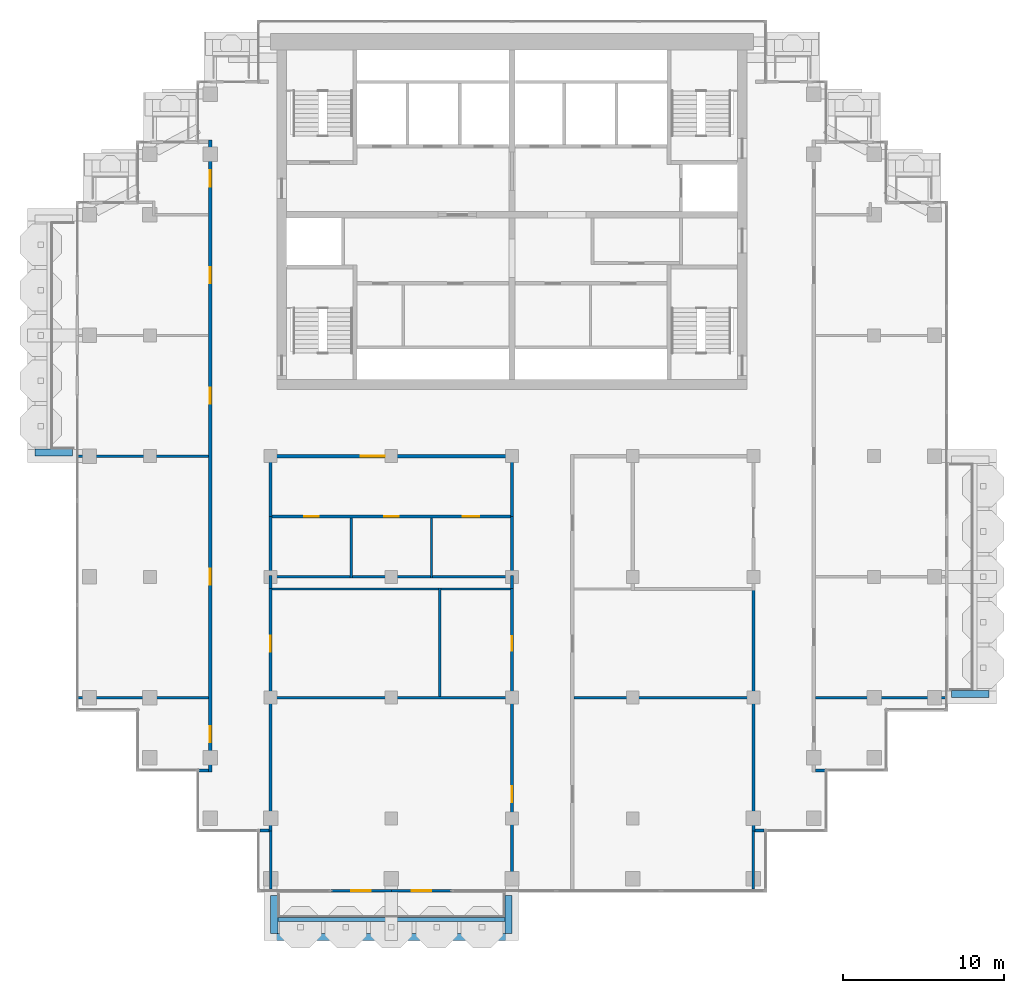
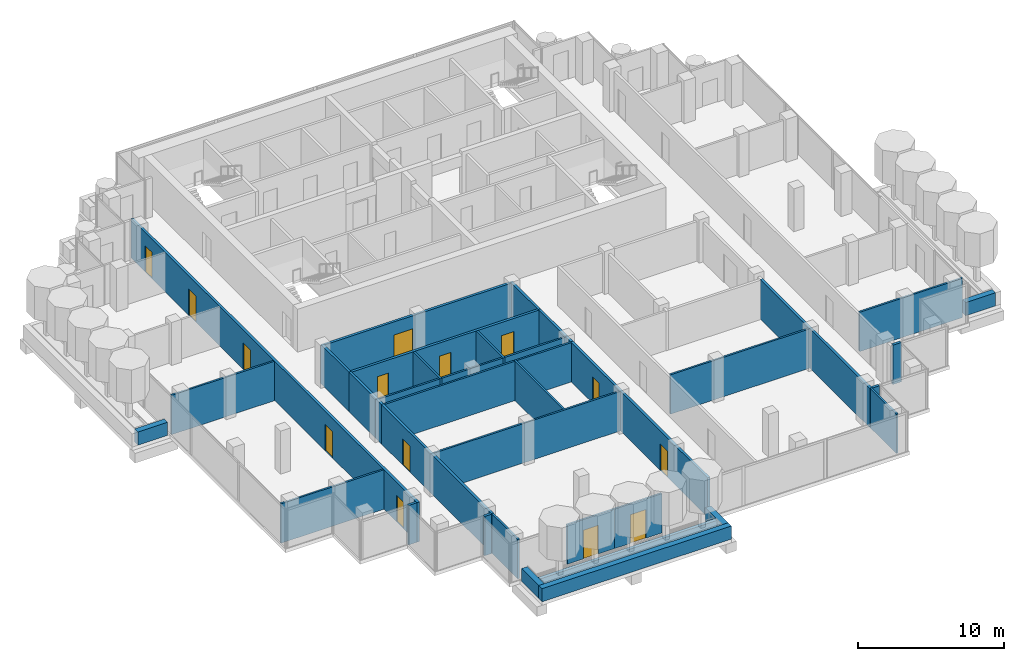
# One storey, part 11 of 18: 39 walls, 14 doors, 14 openings.
"""IFC4 building model written with IfcOpenShell, lengths in metres."""

from ifc_helpers import new_model, si_unit, direction, frame, frame_2d, origin, place, context, subcontext, project, spatial, rectangle, extrude, material, layer, layer_set, type_object, element, fill, save


model = new_model("IFC4")

# Units and contexts
model_context = context("Model", 3, precision=1e-05, world=origin(), true_north=direction((0.0, 1.0)))
body_context = subcontext(model_context, "Body", "Model", "MODEL_VIEW")
ifc_project = project(units=[si_unit("LENGTHUNIT", "METRE"), si_unit("AREAUNIT", "SQUARE_METRE"), si_unit("VOLUMEUNIT", "CUBIC_METRE"), si_unit("PLANEANGLEUNIT", "RADIAN"), si_unit("MASSUNIT", "GRAM", prefix="KILO")], contexts=[model_context])

# Site, building, storey
site_placement = place(None, origin())
site = spatial("IfcSite", under=ifc_project, at=site_placement, CompositionType="ELEMENT")
building_placement = place(site_placement, origin())
building = spatial("IfcBuilding", under=site, at=building_placement, Name="Pilkhan Gate Tower", CompositionType="ELEMENT")
storey_placement = place(building_placement, frame((0.0, 0.0, 235.5)))
storey = spatial("IfcBuildingStorey", under=building, at=storey_placement, Name="L61", CompositionType="ELEMENT", Elevation=235.5)

# Walls
ifc_material_1 = material(Name="Concrete C40/50", Category="concrete")
ifc_layer_1 = layer(ifc_material_1, 0.25)
ifc_layer_set_1 = layer_set([ifc_layer_1], Name="Balcony planter BP250")
wall_type_1 = type_object("IfcWallType", Name="Balcony planter BP250", PredefinedType="USERDEFINED", material=ifc_layer_set_1)
wall_1_placement = place(storey_placement, frame((60.449951171875, 38.72509765625, 0.0), z_axis=(0.0, 0.0, 1.0), x_axis=(1.0, 0.0, 0.0)))
element("IfcWall", 1, at=wall_1_placement, inside=storey, type_object=wall_type_1, Name="Balcony planter L61 S", ObjectType="BALCONY PLANTER", PredefinedType="USERDEFINED", context=body_context, shape_type="SweptSolid", body=[
    extrude(rectangle(XDim=14.10009765625, YDim=0.25, at=frame_2d((7.050048828125, 0.0))), origin(), (0.0, 0.0, 1.0), 1.0),
])
ifc_material_2 = material(Name="Board-marked Concrete C40/50", Category="concrete")
ifc_layer_2 = layer(ifc_material_2, 0.449951171875)
ifc_layer_set_2 = layer_set([ifc_layer_2], Name="Balcony planter lip BL450")
wall_type_2 = type_object("IfcWallType", Name="Balcony planter lip BL450", PredefinedType="USERDEFINED", material=ifc_layer_set_2)
wall_2_placement = place(storey_placement, frame((60.0, 37.625, 0.0), z_axis=(0.0, 0.0, 1.0), x_axis=(1.0, 0.0, 0.0)))
element("IfcWall", 2, at=wall_2_placement, inside=storey, type_object=wall_type_2, Name="Balcony planter L61 S", ObjectType="BALCONY PLANTER", PredefinedType="USERDEFINED", context=body_context, shape_type="SweptSolid", body=[
    extrude(rectangle(XDim=15.0, YDim=0.449951171875, at=frame_2d((7.5, 0.0))), origin(), (0.0, 0.0, 1.0), 1.10009765625),
])
for number, where, z_axis, x_axis, name in (
    (3, (60.22509765625, 40.199951171875, 0.0), (0.0, 0.0, 1.0), (0.0, -1.0, 0.0), "Balcony planter L61 S"),
    (4, (74.77490234375, 40.199951171875, 0.0), (0.0, 0.0, 1.0), (0.0, -1.0, 0.0), "Balcony planter L61 S"),
    (5, (102.300048828125, 52.72509765625, 0.0), (0.0, 0.0, 1.0), (1.0, 0.0, 0.0), "Balcony planter L61 E"),
    (6, (47.699951171875, 67.72509765625, 0.0), (0.0, 0.0, 1.0), (-1.0, 0.0, 0.0), "Balcony planter L61 W"),
):
    element("IfcWall", number, at=place(storey_placement, frame(where, z_axis=z_axis, x_axis=x_axis)), inside=storey, type_object=wall_type_2, Name=name, ObjectType="BALCONY PLANTER", PredefinedType="USERDEFINED", context=body_context, shape_type="SweptSolid", body=[
        extrude(rectangle(XDim=2.349853515625, YDim=0.449951171875, at=frame_2d((1.1748046875, 0.0))), origin(), (0.0, 0.0, 1.0), 1.10009765625),
    ])
ifc_material_3 = material(Name="Dense blockwork", Category="masonry")
ifc_layer_3 = layer(ifc_material_3, 0.199951171875)
ifc_layer_set_3 = layer_set([ifc_layer_3], Name="Corridor wall FW200")
wall_type_3 = type_object("IfcWallType", Name="Corridor wall FW200", PredefinedType="PARTITIONING", material=ifc_layer_set_3)
for number, where, z_axis, x_axis, name in (
    (7, (59.35498046875, 44.235107421875, 0.0), (0.0, 0.0, 1.0), (1.0, 0.0, 0.0), "Partition L61"),
    (8, (90.10009765625, 44.235107421875, 0.0), (0.0, 0.0, 1.0), (1.0, 0.0, 0.0), "Partition L61"),
):
    element("IfcWall", number, at=place(storey_placement, frame(where, z_axis=z_axis, x_axis=x_axis)), inside=storey, type_object=wall_type_3, Name=name, PredefinedType="PARTITIONING", context=body_context, shape_type="SweptSolid", body=[
        extrude(rectangle(XDim=0.544921875, YDim=0.199951171875, at=frame_2d((0.2724609375, 0.0))), origin(), (0.0, 0.0, 1.0), 3.300048828125),
    ])
for number, where, z_axis, x_axis, name in (
    (9, (55.485107421875, 47.969970703125, 0.0), (0.0, 0.0, 1.0), (1.0, 0.0, 0.0), "Partition L61"),
    (10, (93.85009765625, 47.969970703125, 0.0), (0.0, 0.0, 1.0), (1.0, 0.0, 0.0), "Partition L61"),
):
    element("IfcWall", number, at=place(storey_placement, frame(where, z_axis=z_axis, x_axis=x_axis)), inside=storey, type_object=wall_type_3, Name=name, PredefinedType="PARTITIONING", context=body_context, shape_type="SweptSolid", body=[
        extrude(rectangle(XDim=0.664794921875, YDim=0.199951171875, at=frame_2d((0.33251953125, 0.0))), origin(), (0.0, 0.0, 1.0), 3.300048828125),
    ])

# Wall, openings, doors
wall_3_placement = place(storey_placement, frame((56.25, 47.8701171875, 0.0), z_axis=(0.0, 0.0, 1.0), x_axis=(0.0, 1.0, 0.0)))
wall_3 = element("IfcWall", 11, at=wall_3_placement, inside=storey, type_object=wall_type_3, Name="Partition L61", PredefinedType="PARTITIONING", context=body_context, shape_type="SweptSolid", body=[
    extrude(rectangle(XDim=39.259765625, YDim=0.199951171875, at=frame_2d((19.6298828125, 0.0))), origin(), (0.0, 0.0, 1.0), 3.300048828125),
])
opening_1_placement = place(wall_3_placement, frame((1.85009765625, 0.0, 0.0)))
opening_1 = element("IfcOpeningElement", 12, at=opening_1_placement, cuts=wall_3, Name="Opening L61-24", PredefinedType="OPENING", context=body_context, shape_type="SweptSolid", body=[
    extrude(rectangle(XDim=1.0, YDim=2.199951171875, at=frame_2d((0.5, 1.10009765625))), frame((0.0, 0.10986328125, 0.0), z_axis=(0.0, -1.0, 0.0), x_axis=(1.0, 0.0, 0.0)), (0.0, 0.0, 1.0), 0.219970703125),
])
opening_2_placement = place(wall_3_placement, frame((11.6298828125, 0.0, 0.0)))
opening_2 = element("IfcOpeningElement", 13, at=opening_2_placement, cuts=wall_3, Name="Opening L61-25", PredefinedType="OPENING", context=body_context, shape_type="SweptSolid", body=[
    extrude(rectangle(XDim=1.0, YDim=2.199951171875, at=frame_2d((0.5, 1.10009765625))), frame((0.0, 0.10986328125, 0.0), z_axis=(0.0, -1.0, 0.0), x_axis=(1.0, 0.0, 0.0)), (0.0, 0.0, 1.0), 0.219970703125),
])
opening_3_placement = place(wall_3_placement, frame((22.8798828125, 0.0, 0.0)))
opening_3 = element("IfcOpeningElement", 14, at=opening_3_placement, cuts=wall_3, Name="Opening L61-26", PredefinedType="OPENING", context=body_context, shape_type="SweptSolid", body=[
    extrude(rectangle(XDim=1.0, YDim=2.199951171875, at=frame_2d((0.5, 1.10009765625))), frame((0.0, 0.10986328125, 0.0), z_axis=(0.0, -1.0, 0.0), x_axis=(1.0, 0.0, 0.0)), (0.0, 0.0, 1.0), 0.219970703125),
])
opening_4_placement = place(wall_3_placement, frame((30.3798828125, 0.0, 0.0)))
opening_4 = element("IfcOpeningElement", 15, at=opening_4_placement, cuts=wall_3, Name="Opening L61-30", PredefinedType="OPENING", context=body_context, shape_type="SweptSolid", body=[
    extrude(rectangle(XDim=1.0, YDim=2.199951171875, at=frame_2d((0.5, 1.10009765625))), frame((0.0, 0.10986328125, 0.0), z_axis=(0.0, -1.0, 0.0), x_axis=(1.0, 0.0, 0.0)), (0.0, 0.0, 1.0), 0.219970703125),
])
opening_5_placement = place(wall_3_placement, frame((36.3798828125, 0.0, 0.0)))
opening_5 = element("IfcOpeningElement", 16, at=opening_5_placement, cuts=wall_3, Name="Opening L61-31", PredefinedType="OPENING", context=body_context, shape_type="SweptSolid", body=[
    extrude(rectangle(XDim=1.0, YDim=2.199951171875, at=frame_2d((0.5, 1.10009765625))), frame((0.0, 0.10986328125, 0.0), z_axis=(0.0, -1.0, 0.0), x_axis=(1.0, 0.0, 0.0)), (0.0, 0.0, 1.0), 0.219970703125),
])
ifc_material_4 = material(Name="Timber flush door, 30 minute fire resisting", Category="wood")
door_type_1 = type_object("IfcDoorType", Name="Room door D03 1000x2200", OperationType="SINGLE_SWING_LEFT", PredefinedType="DOOR", material=ifc_material_4)
door_1_placement = place(opening_1_placement, origin())
door_1 = element("IfcDoor", 17, at=door_1_placement, inside=storey, type_object=door_type_1, Name="Room door", OperationType="SINGLE_SWING_RIGHT", OverallHeight=2.199951171875, OverallWidth=1.0, PredefinedType="DOOR", context=body_context, shape_type="SweptSolid", body=[
    extrude(rectangle(XDim=1.0, YDim=2.199951171875, at=frame_2d((0.5, 1.10009765625))), frame((0.0, 0.02490234375, 0.0), z_axis=(0.0, -1.0, 0.0), x_axis=(1.0, 0.0, 0.0)), (0.0, 0.0, 1.0), 0.050048828125),
])
fill(opening_1, door_1)
door_2_placement = place(opening_2_placement, origin())
door_2 = element("IfcDoor", 18, at=door_2_placement, inside=storey, type_object=door_type_1, Name="Room door", OperationType="SINGLE_SWING_LEFT", OverallHeight=2.199951171875, OverallWidth=1.0, PredefinedType="DOOR", context=body_context, shape_type="SweptSolid", body=[
    extrude(rectangle(XDim=1.0, YDim=2.199951171875, at=frame_2d((0.5, 1.10009765625))), frame((0.0, 0.02490234375, 0.0), z_axis=(0.0, -1.0, 0.0), x_axis=(1.0, 0.0, 0.0)), (0.0, 0.0, 1.0), 0.050048828125),
])
fill(opening_2, door_2)
door_3_placement = place(opening_3_placement, origin())
door_3 = element("IfcDoor", 19, at=door_3_placement, inside=storey, type_object=door_type_1, Name="Room door", OperationType="SINGLE_SWING_LEFT", OverallHeight=2.199951171875, OverallWidth=1.0, PredefinedType="DOOR", context=body_context, shape_type="SweptSolid", body=[
    extrude(rectangle(XDim=1.0, YDim=2.199951171875, at=frame_2d((0.5, 1.10009765625))), frame((0.0, 0.02490234375, 0.0), z_axis=(0.0, -1.0, 0.0), x_axis=(1.0, 0.0, 0.0)), (0.0, 0.0, 1.0), 0.050048828125),
])
fill(opening_3, door_3)
door_4_placement = place(opening_4_placement, origin())
door_4 = element("IfcDoor", 20, at=door_4_placement, inside=storey, type_object=door_type_1, Name="Room door", OperationType="SINGLE_SWING_LEFT", OverallHeight=2.199951171875, OverallWidth=1.0, PredefinedType="DOOR", context=body_context, shape_type="SweptSolid", body=[
    extrude(rectangle(XDim=1.0, YDim=2.199951171875, at=frame_2d((0.5, 1.10009765625))), frame((0.0, 0.02490234375, 0.0), z_axis=(0.0, -1.0, 0.0), x_axis=(1.0, 0.0, 0.0)), (0.0, 0.0, 1.0), 0.050048828125),
])
fill(opening_4, door_4)
door_5_placement = place(opening_5_placement, origin())
door_5 = element("IfcDoor", 21, at=door_5_placement, inside=storey, type_object=door_type_1, Name="Room door", OperationType="SINGLE_SWING_LEFT", OverallHeight=2.199951171875, OverallWidth=1.0, PredefinedType="DOOR", context=body_context, shape_type="SweptSolid", body=[
    extrude(rectangle(XDim=1.0, YDim=2.199951171875, at=frame_2d((0.5, 1.10009765625))), frame((0.0, 0.02490234375, 0.0), z_axis=(0.0, -1.0, 0.0), x_axis=(1.0, 0.0, 0.0)), (0.0, 0.0, 1.0), 0.050048828125),
])
fill(opening_5, door_5)

# Wall, opening, door
wall_4_placement = place(storey_placement, frame((60.0, 44.135009765625, 0.0), z_axis=(0.0, 0.0, 1.0), x_axis=(0.0, 1.0, 0.0)))
wall_4 = element("IfcWall", 22, at=wall_4_placement, inside=storey, type_object=wall_type_3, Name="Partition L61", PredefinedType="PARTITIONING", context=body_context, shape_type="SweptSolid", body=[
    extrude(rectangle(XDim=15.18994140625, YDim=0.199951171875, at=frame_2d((7.594970703125, 0.0))), origin(), (0.0, 0.0, 1.0), 3.300048828125),
])
opening_6_placement = place(wall_4_placement, frame((11.215087890625, 0.0, 0.0)))
opening_6 = element("IfcOpeningElement", 23, at=opening_6_placement, cuts=wall_4, Name="Opening L61-18", PredefinedType="OPENING", context=body_context, shape_type="SweptSolid", body=[
    extrude(rectangle(XDim=1.0, YDim=2.199951171875, at=frame_2d((0.5, 1.10009765625))), frame((0.0, 0.10986328125, 0.0), z_axis=(0.0, -1.0, 0.0), x_axis=(1.0, 0.0, 0.0)), (0.0, 0.0, 1.0), 0.219970703125),
])
door_6_placement = place(opening_6_placement, origin())
door_6 = element("IfcDoor", 24, at=door_6_placement, inside=storey, type_object=door_type_1, Name="Room door", OperationType="SINGLE_SWING_LEFT", OverallHeight=2.199951171875, OverallWidth=1.0, PredefinedType="DOOR", context=body_context, shape_type="SweptSolid", body=[
    extrude(rectangle(XDim=1.0, YDim=2.199951171875, at=frame_2d((0.5, 1.10009765625))), frame((0.0, 0.02490234375, 0.0), z_axis=(0.0, -1.0, 0.0), x_axis=(1.0, 0.0, 0.0)), (0.0, 0.0, 1.0), 0.050048828125),
])
fill(opening_6, door_6)

# Walls
wall_5_placement = place(storey_placement, frame((60.0, 59.280029296875, 0.0), z_axis=(0.0, 0.0, 1.0), x_axis=(0.0, 1.0, 0.0)))
element("IfcWall", 25, at=wall_5_placement, inside=storey, type_object=wall_type_3, Name="Partition L61", PredefinedType="PARTITIONING", context=body_context, shape_type="SweptSolid", body=[
    extrude(rectangle(XDim=0.794921875, YDim=0.199951171875, at=frame_2d((0.3974609375, 0.0))), origin(), (0.0, 0.0, 1.0), 3.300048828125),
])
wall_6_placement = place(storey_placement, frame((60.0, 60.0, 0.0), z_axis=(0.0, 0.0, 1.0), x_axis=(0.0, 1.0, 0.0)))
element("IfcWall", 26, at=wall_6_placement, inside=storey, type_object=wall_type_3, Name="Partition L61", PredefinedType="PARTITIONING", context=body_context, shape_type="SweptSolid", body=[
    extrude(rectangle(XDim=3.75, YDim=0.199951171875, at=frame_2d((1.875, 0.0))), origin(), (0.0, 0.0, 1.0), 3.300048828125),
])

# Wall, openings, doors
wall_7_placement = place(storey_placement, frame((75.0, 40.485107421875, 0.0), z_axis=(0.0, 0.0, 1.0), x_axis=(0.0, 1.0, 0.0)))
wall_7 = element("IfcWall", 27, at=wall_7_placement, inside=storey, type_object=wall_type_3, Name="Partition L61", PredefinedType="PARTITIONING", context=body_context, shape_type="SweptSolid", body=[
    extrude(rectangle(XDim=18.83984375, YDim=0.199951171875, at=frame_2d((9.419921875, 0.0))), origin(), (0.0, 0.0, 1.0), 3.300048828125),
])
opening_7_placement = place(wall_7_placement, frame((5.5, 0.0, 0.0)))
opening_7 = element("IfcOpeningElement", 28, at=opening_7_placement, cuts=wall_7, Name="Opening L61-17", PredefinedType="OPENING", context=body_context, shape_type="SweptSolid", body=[
    extrude(rectangle(XDim=1.0, YDim=2.199951171875, at=frame_2d((0.5, 1.10009765625))), frame((0.0, 0.10986328125, 0.0), z_axis=(0.0, -1.0, 0.0), x_axis=(1.0, 0.0, 0.0)), (0.0, 0.0, 1.0), 0.219970703125),
])
opening_8_placement = place(wall_7_placement, frame((14.9150390625, 0.0, 0.0)))
opening_8 = element("IfcOpeningElement", 29, at=opening_8_placement, cuts=wall_7, Name="Opening L61-19", PredefinedType="OPENING", context=body_context, shape_type="SweptSolid", body=[
    extrude(rectangle(XDim=0.89990234375, YDim=2.199951171875, at=frame_2d((0.449951171875, 1.10009765625))), frame((0.0, 0.10986328125, 0.0), z_axis=(0.0, -1.0, 0.0), x_axis=(1.0, 0.0, 0.0)), (0.0, 0.0, 1.0), 0.219970703125),
])
door_7_placement = place(opening_7_placement, origin())
door_7 = element("IfcDoor", 30, at=door_7_placement, inside=storey, type_object=door_type_1, Name="Room door", OperationType="SINGLE_SWING_RIGHT", OverallHeight=2.199951171875, OverallWidth=1.0, PredefinedType="DOOR", context=body_context, shape_type="SweptSolid", body=[
    extrude(rectangle(XDim=1.0, YDim=2.199951171875, at=frame_2d((0.5, 1.10009765625))), frame((0.0, 0.02490234375, 0.0), z_axis=(0.0, -1.0, 0.0), x_axis=(1.0, 0.0, 0.0)), (0.0, 0.0, 1.0), 0.050048828125),
])
fill(opening_7, door_7)
ifc_material_5 = material(Name="Timber flush door, 60 minute fire resisting, self-closing", Category="wood")
door_type_2 = type_object("IfcDoorType", Name="Store door D05 900x2200", OperationType="SINGLE_SWING_LEFT", PredefinedType="DOOR", material=ifc_material_5)
door_8_placement = place(opening_8_placement, origin())
door_8 = element("IfcDoor", 31, at=door_8_placement, inside=storey, type_object=door_type_2, Name="Store door", OperationType="SINGLE_SWING_LEFT", OverallHeight=2.199951171875, OverallWidth=0.89990234375, PredefinedType="DOOR", context=body_context, shape_type="SweptSolid", body=[
    extrude(rectangle(XDim=0.89990234375, YDim=2.199951171875, at=frame_2d((0.449951171875, 1.10009765625))), frame((0.0, 0.02490234375, 0.0), z_axis=(0.0, -1.0, 0.0), x_axis=(1.0, 0.0, 0.0)), (0.0, 0.0, 1.0), 0.050048828125),
])
fill(opening_8, door_8)

# Walls
wall_8_placement = place(storey_placement, frame((75.0, 59.280029296875, 0.0), z_axis=(0.0, 0.0, 1.0), x_axis=(0.0, 1.0, 0.0)))
element("IfcWall", 32, at=wall_8_placement, inside=storey, type_object=wall_type_3, Name="Partition L61", PredefinedType="PARTITIONING", context=body_context, shape_type="SweptSolid", body=[
    extrude(rectangle(XDim=0.794921875, YDim=0.199951171875, at=frame_2d((0.3974609375, 0.0))), origin(), (0.0, 0.0, 1.0), 3.300048828125),
])
wall_9_placement = place(storey_placement, frame((75.0, 60.0, 0.0), z_axis=(0.0, 0.0, 1.0), x_axis=(0.0, 1.0, 0.0)))
element("IfcWall", 33, at=wall_9_placement, inside=storey, type_object=wall_type_3, Name="Partition L61", PredefinedType="PARTITIONING", context=body_context, shape_type="SweptSolid", body=[
    extrude(rectangle(XDim=3.75, YDim=0.199951171875, at=frame_2d((1.875, 0.0))), origin(), (0.0, 0.0, 1.0), 3.300048828125),
])
wall_10_placement = place(storey_placement, frame((90.0, 44.135009765625, 0.0), z_axis=(0.0, 0.0, 1.0), x_axis=(0.0, 1.0, 0.0)))
element("IfcWall", 34, at=wall_10_placement, inside=storey, type_object=wall_type_3, Name="Partition L61", PredefinedType="PARTITIONING", context=body_context, shape_type="SweptSolid", body=[
    extrude(rectangle(XDim=15.114990234375, YDim=0.199951171875, at=frame_2d((7.5576171875, 0.0))), origin(), (0.0, 0.0, 1.0), 3.300048828125),
])

# Wall, opening, door
ifc_material_6 = material(Name="Pale anodised aluminium, clear laminated glazing", Category="aluminium")
ifc_layer_4 = layer(ifc_material_6, 0.14990234375)
ifc_layer_set_4 = layer_set([ifc_layer_4], Name="Facade infill wall IW150")
wall_type_4 = type_object("IfcWallType", Name="Facade infill wall IW150", PredefinedType="SOLIDWALL", material=ifc_layer_set_4)
wall_11_placement = place(storey_placement, frame((63.75, 40.5, 0.0), z_axis=(0.0, 0.0, 1.0), x_axis=(1.0, 0.0, 0.0)))
wall_11 = element("IfcWall", 35, at=wall_11_placement, inside=storey, type_object=wall_type_4, Name="Infill wall L61 S", PredefinedType="SOLIDWALL", context=body_context, shape_type="SweptSolid", body=[
    extrude(rectangle(XDim=3.75, YDim=0.14990234375, at=frame_2d((1.875, 0.0))), origin(), (0.0, 0.0, 1.0), 3.300048828125),
])
opening_9_placement = place(wall_11_placement, frame((1.27490234375, 0.0, 0.0)))
opening_9 = element("IfcOpeningElement", 36, at=opening_9_placement, cuts=wall_11, Name="Opening D1", PredefinedType="OPENING", context=body_context, shape_type="SweptSolid", body=[
    extrude(rectangle(XDim=1.199951171875, YDim=2.39990234375, at=frame_2d((0.60009765625, 1.199951171875))), frame((0.0, 0.0849609375, 0.0), z_axis=(0.0, -1.0, 0.0), x_axis=(1.0, 0.0, 0.0)), (0.0, 0.0, 1.0), 0.169921875),
])
ifc_material_7 = material(Name="Pale anodised aluminium, clear glazing", Category="aluminium")
door_type_3 = type_object("IfcDoorType", Name="Balcony door D1 1200x2400", OperationType="SINGLE_SWING_LEFT", PredefinedType="DOOR", material=ifc_material_7)
door_9_placement = place(opening_9_placement, origin())
door_9 = element("IfcDoor", 37, at=door_9_placement, inside=storey, type_object=door_type_3, Name="Balcony door L61", OperationType="SINGLE_SWING_LEFT", OverallHeight=2.39990234375, OverallWidth=1.199951171875, PredefinedType="DOOR", context=body_context, shape_type="SweptSolid", body=[
    extrude(rectangle(XDim=1.199951171875, YDim=2.39990234375, at=frame_2d((0.60009765625, 1.199951171875))), frame((0.0, 0.02490234375, 0.0), z_axis=(0.0, -1.0, 0.0), x_axis=(1.0, 0.0, 0.0)), (0.0, 0.0, 1.0), 0.050048828125),
])
fill(opening_9, door_9)

wall_12_placement = place(storey_placement, frame((67.5, 40.5, 0.0), z_axis=(0.0, 0.0, 1.0), x_axis=(1.0, 0.0, 0.0)))
wall_12 = element("IfcWall", 38, at=wall_12_placement, inside=storey, type_object=wall_type_4, Name="Infill wall L61 S", PredefinedType="SOLIDWALL", context=body_context, shape_type="SweptSolid", body=[
    extrude(rectangle(XDim=3.75, YDim=0.14990234375, at=frame_2d((1.875, 0.0))), origin(), (0.0, 0.0, 1.0), 3.300048828125),
])
opening_10_placement = place(wall_12_placement, frame((1.27490234375, 0.0, 0.0)))
opening_10 = element("IfcOpeningElement", 39, at=opening_10_placement, cuts=wall_12, Name="Opening D1", PredefinedType="OPENING", context=body_context, shape_type="SweptSolid", body=[
    extrude(rectangle(XDim=1.199951171875, YDim=2.39990234375, at=frame_2d((0.60009765625, 1.199951171875))), frame((0.0, 0.0849609375, 0.0), z_axis=(0.0, -1.0, 0.0), x_axis=(1.0, 0.0, 0.0)), (0.0, 0.0, 1.0), 0.169921875),
])
door_10_placement = place(opening_10_placement, origin())
door_10 = element("IfcDoor", 40, at=door_10_placement, inside=storey, type_object=door_type_3, Name="Balcony door L61", OperationType="SINGLE_SWING_LEFT", OverallHeight=2.39990234375, OverallWidth=1.199951171875, PredefinedType="DOOR", context=body_context, shape_type="SweptSolid", body=[
    extrude(rectangle(XDim=1.199951171875, YDim=2.39990234375, at=frame_2d((0.60009765625, 1.199951171875))), frame((0.0, 0.02490234375, 0.0), z_axis=(0.0, -1.0, 0.0), x_axis=(1.0, 0.0, 0.0)), (0.0, 0.0, 1.0), 0.050048828125),
])
fill(opening_10, door_10)

# Wall, openings, doors
ifc_layer_5 = layer(ifc_material_3, 0.199951171875)
ifc_layer_set_5 = layer_set([ifc_layer_5], Name="Lobby wall LW200")
wall_type_5 = type_object("IfcWallType", Name="Lobby wall LW200", PredefinedType="PARTITIONING", material=ifc_layer_set_5)
wall_13_placement = place(storey_placement, frame((60.10009765625, 63.75, 0.0), z_axis=(0.0, 0.0, 1.0), x_axis=(1.0, 0.0, 0.0)))
wall_13 = element("IfcWall", 41, at=wall_13_placement, inside=storey, type_object=wall_type_5, Name="Partition L61", PredefinedType="PARTITIONING", context=body_context, shape_type="SweptSolid", body=[
    extrude(rectangle(XDim=14.7998046875, YDim=0.199951171875, at=frame_2d((7.39990234375, 0.0))), origin(), (0.0, 0.0, 1.0), 3.300048828125),
])
opening_11_placement = place(wall_13_placement, frame((2.0, 0.0, 0.0)))
opening_11 = element("IfcOpeningElement", 42, at=opening_11_placement, cuts=wall_13, Name="Opening L61-14", PredefinedType="OPENING", context=body_context, shape_type="SweptSolid", body=[
    extrude(rectangle(XDim=0.89990234375, YDim=2.199951171875, at=frame_2d((0.449951171875, 1.10009765625))), frame((0.0, 0.10986328125, 0.0), z_axis=(0.0, -1.0, 0.0), x_axis=(1.0, 0.0, 0.0)), (0.0, 0.0, 1.0), 0.219970703125),
])
opening_12_placement = place(wall_13_placement, frame((6.949951171875, 0.0, 0.0)))
opening_12 = element("IfcOpeningElement", 43, at=opening_12_placement, cuts=wall_13, Name="Opening L61-15", PredefinedType="OPENING", context=body_context, shape_type="SweptSolid", body=[
    extrude(rectangle(XDim=0.89990234375, YDim=2.199951171875, at=frame_2d((0.449951171875, 1.10009765625))), frame((0.0, 0.10986328125, 0.0), z_axis=(0.0, -1.0, 0.0), x_axis=(1.0, 0.0, 0.0)), (0.0, 0.0, 1.0), 0.219970703125),
])
opening_13_placement = place(wall_13_placement, frame((11.85009765625, 0.0, 0.0)))
opening_13 = element("IfcOpeningElement", 44, at=opening_13_placement, cuts=wall_13, Name="Opening L61-16", PredefinedType="OPENING", context=body_context, shape_type="SweptSolid", body=[
    extrude(rectangle(XDim=1.0, YDim=2.199951171875, at=frame_2d((0.5, 1.10009765625))), frame((0.0, 0.10986328125, 0.0), z_axis=(0.0, -1.0, 0.0), x_axis=(1.0, 0.0, 0.0)), (0.0, 0.0, 1.0), 0.219970703125),
])
ifc_material_8 = material(Name="Timber flush door, outward opening, 30 minute fire resisting", Category="wood")
door_type_4 = type_object("IfcDoorType", Name="Accessible toilet door D07 1000x2200", OperationType="SINGLE_SWING_LEFT", PredefinedType="DOOR", material=ifc_material_8)
door_11_placement = place(opening_13_placement, origin())
door_11 = element("IfcDoor", 45, at=door_11_placement, inside=storey, type_object=door_type_4, Name="Accessible toilet door", OperationType="SINGLE_SWING_RIGHT", OverallHeight=2.199951171875, OverallWidth=1.0, PredefinedType="DOOR", context=body_context, shape_type="SweptSolid", body=[
    extrude(rectangle(XDim=1.0, YDim=2.199951171875, at=frame_2d((0.5, 1.10009765625))), frame((0.0, 0.02490234375, 0.0), z_axis=(0.0, -1.0, 0.0), x_axis=(1.0, 0.0, 0.0)), (0.0, 0.0, 1.0), 0.050048828125),
])
fill(opening_13, door_11)
door_type_5 = type_object("IfcDoorType", Name="Toilet door D06 900x2200", OperationType="SINGLE_SWING_LEFT", PredefinedType="DOOR", material=ifc_material_4)
door_12_placement = place(opening_11_placement, origin())
door_12 = element("IfcDoor", 46, at=door_12_placement, inside=storey, type_object=door_type_5, Name="Toilet door", OperationType="SINGLE_SWING_LEFT", OverallHeight=2.199951171875, OverallWidth=0.89990234375, PredefinedType="DOOR", context=body_context, shape_type="SweptSolid", body=[
    extrude(rectangle(XDim=0.89990234375, YDim=2.199951171875, at=frame_2d((0.449951171875, 1.10009765625))), frame((0.0, 0.02490234375, 0.0), z_axis=(0.0, -1.0, 0.0), x_axis=(1.0, 0.0, 0.0)), (0.0, 0.0, 1.0), 0.050048828125),
])
fill(opening_11, door_12)
door_13_placement = place(opening_12_placement, origin())
door_13 = element("IfcDoor", 47, at=door_13_placement, inside=storey, type_object=door_type_5, Name="Toilet door", OperationType="SINGLE_SWING_RIGHT", OverallHeight=2.199951171875, OverallWidth=0.89990234375, PredefinedType="DOOR", context=body_context, shape_type="SweptSolid", body=[
    extrude(rectangle(XDim=0.89990234375, YDim=2.199951171875, at=frame_2d((0.449951171875, 1.10009765625))), frame((0.0, 0.02490234375, 0.0), z_axis=(0.0, -1.0, 0.0), x_axis=(1.0, 0.0, 0.0)), (0.0, 0.0, 1.0), 0.050048828125),
])
fill(opening_12, door_13)

# Wall, opening, door
wall_14_placement = place(storey_placement, frame((60.10009765625, 67.5, 0.0), z_axis=(0.0, 0.0, 1.0), x_axis=(1.0, 0.0, 0.0)))
wall_14 = element("IfcWall", 48, at=wall_14_placement, inside=storey, type_object=wall_type_5, Name="Partition L61", PredefinedType="PARTITIONING", context=body_context, shape_type="SweptSolid", body=[
    extrude(rectangle(XDim=14.7998046875, YDim=0.199951171875, at=frame_2d((7.39990234375, 0.0))), origin(), (0.0, 0.0, 1.0), 3.300048828125),
])
opening_14_placement = place(wall_14_placement, frame((5.5, 0.0, 0.0)))
opening_14 = element("IfcOpeningElement", 49, at=opening_14_placement, cuts=wall_14, Name="Opening L61-13", PredefinedType="OPENING", context=body_context, shape_type="SweptSolid", body=[
    extrude(rectangle(XDim=1.5, YDim=2.199951171875, at=frame_2d((0.75, 1.10009765625))), frame((0.0, 0.10986328125, 0.0), z_axis=(0.0, -1.0, 0.0), x_axis=(1.0, 0.0, 0.0)), (0.0, 0.0, 1.0), 0.219970703125),
])
ifc_material_9 = material(Name="Steel framed glazed door, 60 minute fire resisting", Category="steel")
door_type_6 = type_object("IfcDoorType", Name="Lobby door D09 1500x2200", OperationType="DOUBLE_DOOR_SINGLE_SWING", PredefinedType="DOOR", material=ifc_material_9)
door_14_placement = place(opening_14_placement, origin())
door_14 = element("IfcDoor", 50, at=door_14_placement, inside=storey, type_object=door_type_6, Name="Lobby door", OperationType="DOUBLE_DOOR_SINGLE_SWING", OverallHeight=2.199951171875, OverallWidth=1.5, PredefinedType="DOOR", context=body_context, shape_type="SweptSolid", body=[
    extrude(rectangle(XDim=1.5, YDim=2.199951171875, at=frame_2d((0.75, 1.10009765625))), frame((0.0, 0.02490234375, 0.0), z_axis=(0.0, -1.0, 0.0), x_axis=(1.0, 0.0, 0.0)), (0.0, 0.0, 1.0), 0.050048828125),
])
fill(opening_14, door_14)

# Walls
for number, where, z_axis, x_axis, name in (
    (51, (60.0, 63.64990234375, 0.0), (0.0, 0.0, 1.0), (0.0, 1.0, 0.0), "Partition L61"),
    (52, (75.0, 63.64990234375, 0.0), (0.0, 0.0, 1.0), (0.0, 1.0, 0.0), "Partition L61"),
):
    element("IfcWall", number, at=place(storey_placement, frame(where, z_axis=z_axis, x_axis=x_axis)), inside=storey, type_object=wall_type_5, Name=name, PredefinedType="PARTITIONING", context=body_context, shape_type="SweptSolid", body=[
        extrude(rectangle(XDim=3.9501953125, YDim=0.199951171875, at=frame_2d((1.97509765625, 0.0))), origin(), (0.0, 0.0, 1.0), 3.300048828125),
    ])
ifc_material_10 = material(Name="Blockwork partition, plastered both sides", Category="masonry")
ifc_layer_6 = layer(ifc_material_10, 0.14990234375)
ifc_layer_set_6 = layer_set([ifc_layer_6], Name="Partition PW150")
wall_type_6 = type_object("IfcWallType", Name="Partition PW150", PredefinedType="PARTITIONING", material=ifc_layer_set_6)
wall_15_placement = place(storey_placement, frame((47.985107421875, 52.5, 0.0), z_axis=(0.0, 0.0, 1.0), x_axis=(1.0, 0.0, 0.0)))
element("IfcWall", 53, at=wall_15_placement, inside=storey, type_object=wall_type_6, Name="Partition L61", PredefinedType="PARTITIONING", context=body_context, shape_type="SweptSolid", body=[
    extrude(rectangle(XDim=8.164794921875, YDim=0.14990234375, at=frame_2d((4.08251953125, 0.0))), origin(), (0.0, 0.0, 1.0), 3.300048828125),
])
wall_16_placement = place(storey_placement, frame((60.10009765625, 52.5, 0.0), z_axis=(0.0, 0.0, 1.0), x_axis=(1.0, 0.0, 0.0)))
element("IfcWall", 54, at=wall_16_placement, inside=storey, type_object=wall_type_6, Name="Partition L61", PredefinedType="PARTITIONING", context=body_context, shape_type="SweptSolid", body=[
    extrude(rectangle(XDim=14.7998046875, YDim=0.14990234375, at=frame_2d((7.39990234375, 0.0))), origin(), (0.0, 0.0, 1.0), 3.300048828125),
])
wall_17_placement = place(storey_placement, frame((78.85009765625, 52.5, 0.0), z_axis=(0.0, 0.0, 1.0), x_axis=(1.0, 0.0, 0.0)))
element("IfcWall", 55, at=wall_17_placement, inside=storey, type_object=wall_type_6, Name="Partition L61", PredefinedType="PARTITIONING", context=body_context, shape_type="SweptSolid", body=[
    extrude(rectangle(XDim=11.0498046875, YDim=0.14990234375, at=frame_2d((5.52490234375, 0.0))), origin(), (0.0, 0.0, 1.0), 3.300048828125),
])
wall_18_placement = place(storey_placement, frame((93.85009765625, 52.5, 0.0), z_axis=(0.0, 0.0, 1.0), x_axis=(1.0, 0.0, 0.0)))
element("IfcWall", 56, at=wall_18_placement, inside=storey, type_object=wall_type_6, Name="Partition L61", PredefinedType="PARTITIONING", context=body_context, shape_type="SweptSolid", body=[
    extrude(rectangle(XDim=8.164794921875, YDim=0.14990234375, at=frame_2d((4.08251953125, 0.0))), origin(), (0.0, 0.0, 1.0), 3.300048828125),
])
wall_19_placement = place(storey_placement, frame((60.10009765625, 59.25, 0.0), z_axis=(0.0, 0.0, 1.0), x_axis=(1.0, 0.0, 0.0)))
element("IfcWall", 57, at=wall_19_placement, inside=storey, type_object=wall_type_6, Name="Partition L61", PredefinedType="PARTITIONING", context=body_context, shape_type="SweptSolid", body=[
    extrude(rectangle(XDim=10.324951171875, YDim=0.14990234375, at=frame_2d((5.16259765625, 0.0))), origin(), (0.0, 0.0, 1.0), 3.300048828125),
])
wall_20_placement = place(storey_placement, frame((70.574951171875, 59.25, 0.0), z_axis=(0.0, 0.0, 1.0), x_axis=(1.0, 0.0, 0.0)))
element("IfcWall", 58, at=wall_20_placement, inside=storey, type_object=wall_type_6, Name="Partition L61", PredefinedType="PARTITIONING", context=body_context, shape_type="SweptSolid", body=[
    extrude(rectangle(XDim=4.324951171875, YDim=0.14990234375, at=frame_2d((2.16259765625, 0.0))), origin(), (0.0, 0.0, 1.0), 3.300048828125),
])
wall_21_placement = place(storey_placement, frame((60.10009765625, 60.0, 0.0), z_axis=(0.0, 0.0, 1.0), x_axis=(1.0, 0.0, 0.0)))
element("IfcWall", 59, at=wall_21_placement, inside=storey, type_object=wall_type_6, Name="Partition L61", PredefinedType="PARTITIONING", context=body_context, shape_type="SweptSolid", body=[
    extrude(rectangle(XDim=4.824951171875, YDim=0.14990234375, at=frame_2d((2.41259765625, 0.0))), origin(), (0.0, 0.0, 1.0), 3.300048828125),
])
wall_22_placement = place(storey_placement, frame((65.074951171875, 60.0, 0.0), z_axis=(0.0, 0.0, 1.0), x_axis=(1.0, 0.0, 0.0)))
element("IfcWall", 60, at=wall_22_placement, inside=storey, type_object=wall_type_6, Name="Partition L61", PredefinedType="PARTITIONING", context=body_context, shape_type="SweptSolid", body=[
    extrude(rectangle(XDim=4.85009765625, YDim=0.14990234375, at=frame_2d((2.425048828125, 0.0))), origin(), (0.0, 0.0, 1.0), 3.300048828125),
])
wall_23_placement = place(storey_placement, frame((70.074951171875, 60.0, 0.0), z_axis=(0.0, 0.0, 1.0), x_axis=(1.0, 0.0, 0.0)))
element("IfcWall", 61, at=wall_23_placement, inside=storey, type_object=wall_type_6, Name="Partition L61", PredefinedType="PARTITIONING", context=body_context, shape_type="SweptSolid", body=[
    extrude(rectangle(XDim=4.824951171875, YDim=0.14990234375, at=frame_2d((2.41259765625, 0.0))), origin(), (0.0, 0.0, 1.0), 3.300048828125),
])
wall_24_placement = place(storey_placement, frame((47.985107421875, 67.5, 0.0), z_axis=(0.0, 0.0, 1.0), x_axis=(1.0, 0.0, 0.0)))
element("IfcWall", 62, at=wall_24_placement, inside=storey, type_object=wall_type_6, Name="Partition L61", PredefinedType="PARTITIONING", context=body_context, shape_type="SweptSolid", body=[
    extrude(rectangle(XDim=8.164794921875, YDim=0.14990234375, at=frame_2d((4.08251953125, 0.0))), origin(), (0.0, 0.0, 1.0), 3.300048828125),
])
wall_25_placement = place(storey_placement, frame((60.0, 40.60498046875, 0.0), z_axis=(0.0, 0.0, 1.0), x_axis=(0.0, 1.0, 0.0)))
element("IfcWall", 63, at=wall_25_placement, inside=storey, type_object=wall_type_6, Name="Partition L61", PredefinedType="PARTITIONING", context=body_context, shape_type="SweptSolid", body=[
    extrude(rectangle(XDim=3.60009765625, YDim=0.14990234375, at=frame_2d((1.800048828125, 0.0))), origin(), (0.0, 0.0, 1.0), 3.300048828125),
])
for number, where, z_axis, x_axis, name in (
    (64, (65.0, 59.925048828125, 0.0), (0.0, 0.0, 1.0), (0.0, 1.0, 0.0), "Partition L61"),
    (65, (70.0, 59.925048828125, 0.0), (0.0, 0.0, 1.0), (0.0, 1.0, 0.0), "Partition L61"),
):
    element("IfcWall", number, at=place(storey_placement, frame(where, z_axis=z_axis, x_axis=x_axis)), inside=storey, type_object=wall_type_6, Name=name, PredefinedType="PARTITIONING", context=body_context, shape_type="SweptSolid", body=[
        extrude(rectangle(XDim=3.724853515625, YDim=0.14990234375, at=frame_2d((1.8623046875, 0.0))), origin(), (0.0, 0.0, 1.0), 3.300048828125),
    ])
wall_26_placement = place(storey_placement, frame((70.5, 52.574951171875, 0.0), z_axis=(0.0, 0.0, 1.0), x_axis=(0.0, 1.0, 0.0)))
element("IfcWall", 66, at=wall_26_placement, inside=storey, type_object=wall_type_6, Name="Partition L61", PredefinedType="PARTITIONING", context=body_context, shape_type="SweptSolid", body=[
    extrude(rectangle(XDim=6.75, YDim=0.14990234375, at=frame_2d((3.375, 0.0))), origin(), (0.0, 0.0, 1.0), 3.300048828125),
])
wall_27_placement = place(storey_placement, frame((90.0, 40.60498046875, 0.0), z_axis=(0.0, 0.0, 1.0), x_axis=(0.0, 1.0, 0.0)))
element("IfcWall", 67, at=wall_27_placement, inside=storey, type_object=wall_type_6, Name="Partition L61", PredefinedType="PARTITIONING", context=body_context, shape_type="SweptSolid", body=[
    extrude(rectangle(XDim=3.60009765625, YDim=0.14990234375, at=frame_2d((1.800048828125, 0.0))), origin(), (0.0, 0.0, 1.0), 3.300048828125),
])

save(model, "model.ifc")
